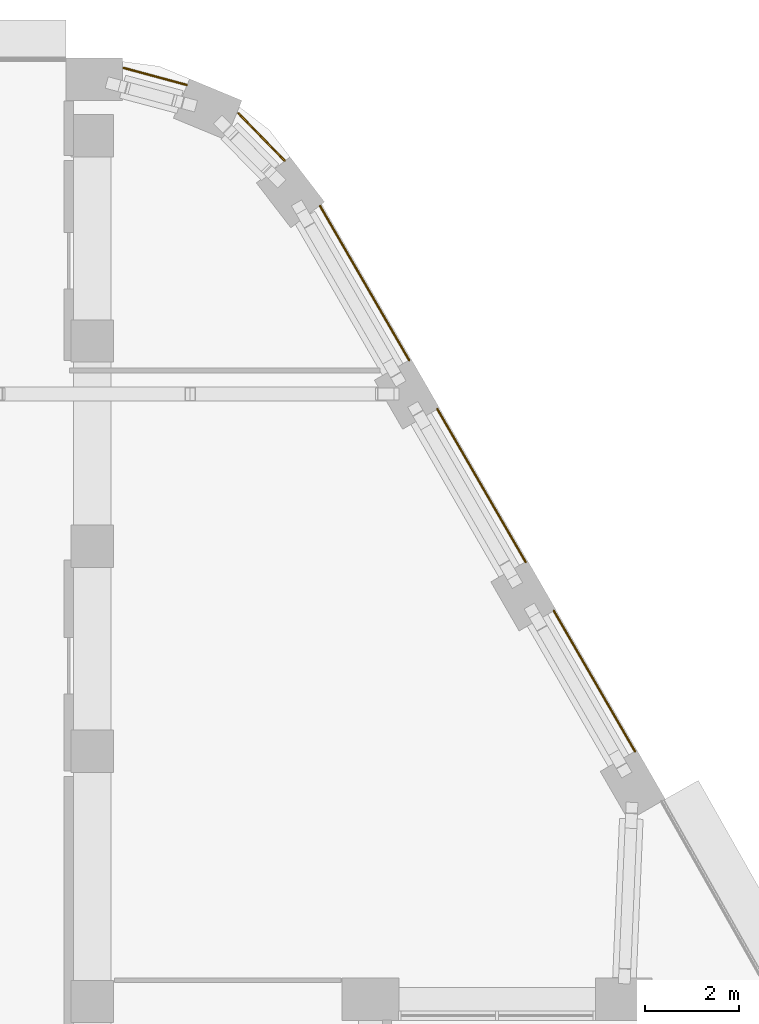
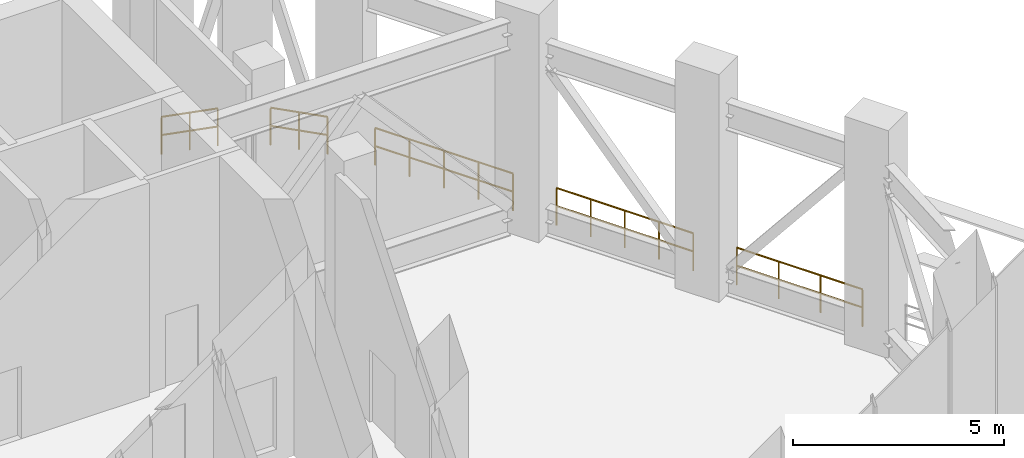
# One storey, part 19 of 19: 5 railings.
"""IFC4 building model written with IfcOpenShell, lengths in metres."""

import ifcopenshell
import ifcopenshell.guid

model = None  # the IFC model being written
_history = None  # IfcOwnerHistory: only IFC2X3 demands one
_inside = {}  # id of a spatial element -> (the spatial element, [elements in it])
_under = {}  # id of a project, library or spatial element -> (it, [spatial elements below it])
_declared = {}  # id of a project -> (the project, [libraries it declares])
_typed = {}  # id of a type object -> (the type object, [elements of that type])
_made_of = {}  # id of a material, layer set ... -> (it, [elements and type objects made of it])


def new_model(schema):
    """Start an empty IFC model of exactly this schema.

    Asked for "IFC4X3", IfcOpenShell would pick the latest addendum, in which some entities
    have other attributes; the version numbers below select the first issue.
    IFC2X3 requires an IfcOwnerHistory on every rooted entity: one is made here for all.
    """
    global model, _history
    if schema == "IFC4X3":
        model = ifcopenshell.file(schema_version=(4, 3, 0, 0))
    else:
        model = ifcopenshell.file(schema=schema)
    _inside.clear()
    _under.clear()
    _declared.clear()
    _typed.clear()
    _made_of.clear()
    _history = None
    if model.schema == "IFC2X3":
        org = make("IfcOrganization", Name="unknown")
        user = make(
            "IfcPersonAndOrganization",
            ThePerson=make("IfcPerson", FamilyName="unknown"),
            TheOrganization=org,
        )
        app = make(
            "IfcApplication",
            ApplicationDeveloper=org,
            Version="unknown",
            ApplicationFullName="unknown",
            ApplicationIdentifier="unknown",
        )
        _history = make(
            "IfcOwnerHistory",
            OwningUser=user,
            OwningApplication=app,
            ChangeAction="ADDED",
            CreationDate=0,
        )
    return model


def make(cls, **values):
    """One entity of the class cls with the attributes given. An attribute that is None is left unset."""
    return model.create_entity(
        cls, **{name: value for name, value in values.items() if value is not None}
    )


def rooted(cls, **values):
    """An entity with a GlobalId (a new one), such as an element, a storey or a relation."""
    return make(cls, GlobalId=ifcopenshell.guid.new(), OwnerHistory=_history, **values)


def si_unit(unit_type, name, prefix=None):
    """IfcSIUnit, for example si_unit("LENGTHUNIT", "METRE", prefix="MILLI")."""
    return make("IfcSIUnit", UnitType=unit_type, Prefix=prefix, Name=name)


def assignment(units):
    """IfcUnitAssignment: the units of a project."""
    return None if units is None else make("IfcUnitAssignment", Units=units)


def point(xyz):
    """IfcCartesianPoint."""
    return None if xyz is None else make("IfcCartesianPoint", Coordinates=xyz)


def direction(xyz):
    """IfcDirection."""
    return None if xyz is None else make("IfcDirection", DirectionRatios=xyz)


def frame(location, z_axis=None, x_axis=None):
    """IfcAxis2Placement3D, a coordinate frame: its origin and axes. An axis left out is left unset."""
    return make(
        "IfcAxis2Placement3D",
        Location=point(location),
        Axis=direction(z_axis),
        RefDirection=direction(x_axis),
    )


def frame_2d(location, x_axis=None):
    """IfcAxis2Placement2D, a coordinate frame in the plane: its origin and x axis."""
    return make(
        "IfcAxis2Placement2D", Location=point(location), RefDirection=direction(x_axis)
    )


def origin():
    """The frame at (0, 0, 0) with its axes left unset."""
    return frame((0.0, 0.0, 0.0))


def origin_2d():
    """The frame at (0, 0) in the plane with its x axis left unset."""
    return frame_2d((0.0, 0.0))


def place(relative_to, where):
    """IfcLocalPlacement: puts the frame where relative to a parent placement (None: the world)."""
    return make(
        "IfcLocalPlacement", PlacementRelTo=relative_to, RelativePlacement=where
    )


def context(
    kind, dimensions, precision=None, world=None, true_north=None, identifier=None
):
    """IfcGeometricRepresentationContext, for example the 3D "Model" context."""
    return make(
        "IfcGeometricRepresentationContext",
        ContextIdentifier=identifier,
        ContextType=kind,
        CoordinateSpaceDimension=dimensions,
        Precision=precision,
        WorldCoordinateSystem=world,
        TrueNorth=true_north,
    )


def subcontext(parent, identifier, kind, view, scale=None):
    """IfcGeometricRepresentationSubContext, for example "Body" below "Model"."""
    return make(
        "IfcGeometricRepresentationSubContext",
        ContextIdentifier=identifier,
        ContextType=kind,
        ParentContext=parent,
        TargetScale=scale,
        TargetView=view,
    )


def project(units=None, contexts=None):
    """IfcProject with its units and contexts."""
    return rooted(
        "IfcProject",
        Name="project",
        RepresentationContexts=contexts,
        UnitsInContext=assignment(units),
    )


def spatial(cls, under=None, at=None, **own):
    """A site, building, storey or space (cls), placed at a placement, below another one or the project."""
    s = rooted(cls, ObjectPlacement=at, **own)
    if under is not None:
        _under.setdefault(under.id(), (under, []))[1].append(s)
    return s


def profile(cls, at=None, kind="AREA", **sizes):
    """A parametric profile (cls). Its sizes go by their IFC names, for example OverallWidth=200.0."""
    return make(cls, ProfileType=kind, Position=at, **sizes)


def circle(**sizes):
    """IfcCircleProfileDef."""
    return profile("IfcCircleProfileDef", **sizes)


def extrude(swept, where, along, depth):
    """IfcExtrudedAreaSolid: the profile swept, set in the frame where, extruded along a direction by depth."""
    return make(
        "IfcExtrudedAreaSolid",
        SweptArea=swept,
        Position=where,
        ExtrudedDirection=direction(along),
        Depth=depth,
    )


def shape(context_of_items, identifier, shape_type, items):
    """IfcShapeRepresentation: the items that make up one representation, for example the "Body"."""
    return make(
        "IfcShapeRepresentation",
        ContextOfItems=context_of_items,
        RepresentationIdentifier=identifier,
        RepresentationType=shape_type,
        Items=items,
    )


def material(Name=None, Category=None):
    """IfcMaterial."""
    return make("IfcMaterial", Name=Name, Category=Category)


def made_of(thing, what):
    """Note that an element or type object is made of a material, layer set ...; save() writes the relation."""
    if what is not None:
        _made_of.setdefault(what.id(), (what, []))[1].append(thing)
    return thing


def type_object(cls, material=None, **own):
    """A type object (cls), such as IfcWallType, which elements share."""
    return made_of(rooted(cls, **own), material)


def element(
    cls,
    number,
    at=None,
    inside=None,
    cuts=None,
    type_object=None,
    material=None,
    context=None,
    identifier="Body",
    shape_type=None,
    held_by="IfcProductDefinitionShape",
    body=None,
    shapes=None,
    **own,
):
    """One element of the class cls, such as IfcWall. Its Tag is "e" and its number.

    at: its placement. inside: the storey or other place that contains it. cuts: it is an
    opening in that element (IfcRelVoidsElement). A single representation is given by context,
    identifier, shape_type and body (its items); several are given by shapes. held_by: the class
    of the entity that holds the representations. save() writes the other relations.
    """
    e = rooted(cls, Tag="e%d" % number, ObjectPlacement=at, **own)
    if body is not None:
        shapes = [shape(context, identifier, shape_type, body)]
    if shapes is not None:
        e.Representation = make(held_by, Representations=shapes)
    if inside is not None:
        _inside.setdefault(inside.id(), (inside, []))[1].append(e)
    if cuts is not None:
        rooted(
            "IfcRelVoidsElement", RelatingBuildingElement=cuts, RelatedOpeningElement=e
        )
    if type_object is not None:
        _typed.setdefault(type_object.id(), (type_object, []))[1].append(e)
    return made_of(e, material)


def aggregate(whole, parts):
    """IfcRelAggregates: a whole, such as a stair, and the parts it consists of."""
    return rooted("IfcRelAggregates", RelatingObject=whole, RelatedObjects=parts)


def save(model, path):
    """Write the relations noted so far, then the file.

    IfcRelAggregates (storeys below a building ...), IfcRelContainedInSpatialStructure (elements
    in a storey), IfcRelDefinesByType, IfcRelAssociatesMaterial and IfcRelDeclares: one each for
    every whole, place, type object, material and project.
    """
    for whole, parts in _under.values():
        aggregate(whole, parts)
    for where, things in _inside.values():
        rooted(
            "IfcRelContainedInSpatialStructure",
            RelatedElements=things,
            RelatingStructure=where,
        )
    for kind, things in _typed.values():
        rooted("IfcRelDefinesByType", RelatedObjects=things, RelatingType=kind)
    for what, things in _made_of.values():
        rooted("IfcRelAssociatesMaterial", RelatedObjects=things, RelatingMaterial=what)
    for by, libraries in _declared.values():
        rooted("IfcRelDeclares", RelatingContext=by, RelatedDefinitions=libraries)
    model.write(path)


model = new_model("IFC4")

# Units and contexts
model_context = context("Model", 3, precision=1e-05, world=origin(), true_north=direction((0.0, 1.0)))
body_context = subcontext(model_context, "Body", "Model", "MODEL_VIEW")
ifc_project = project(units=[si_unit("LENGTHUNIT", "METRE"), si_unit("AREAUNIT", "SQUARE_METRE"), si_unit("VOLUMEUNIT", "CUBIC_METRE"), si_unit("PLANEANGLEUNIT", "RADIAN"), si_unit("MASSUNIT", "GRAM", prefix="KILO")], contexts=[model_context])

# Site, building, storey
site_placement = place(None, origin())
site = spatial("IfcSite", under=ifc_project, at=site_placement, CompositionType="ELEMENT")
building_placement = place(site_placement, origin())
building = spatial("IfcBuilding", under=site, at=building_placement, Name="Nakaniwa Court", CompositionType="ELEMENT")
storey_placement = place(building_placement, frame((0.0, 0.0, 219.60009765625)))
storey = spatial("IfcBuildingStorey", under=building, at=storey_placement, Name="S4", CompositionType="ELEMENT", Elevation=219.60009765625)

# Railings
ifc_material = material(Name="Black powder-coated steel flat bar balustrade S275", Category="steel")
railing_type = type_object("IfcRailingType", Name="Black metal terrace guard 1100", PredefinedType="GUARDRAIL", material=ifc_material)
railing_1_placement = place(storey_placement, frame((101.50732421875, 87.9482421875, 0.0)))
element("IfcRailing", 1, at=railing_1_placement, inside=storey, type_object=railing_type, Name="S4 refuge band guard 03", PredefinedType="GUARDRAIL", context=body_context, shape_type="SweptSolid", body=[
    extrude(circle(Radius=0.02392578125, at=origin_2d()), frame((0.0, 0.0, 1.076171875), z_axis=(-0.500008546953, 0.866020469142, 0.0), x_axis=(-0.866020469142, -0.500008546953, 0.0)), (0.0, 0.0, 1.0), 3.447265625),
    extrude(circle(Radius=0.02392578125, at=origin_2d()), frame((0.0, 0.0, 0.550048828125), z_axis=(-0.500008546953, 0.866020469142, 0.0), x_axis=(-0.866020469142, -0.500008546953, 0.0)), (0.0, 0.0, 1.0), 3.447265625),
    extrude(circle(Radius=0.02099609375, at=origin_2d()), origin(), (0.0, 0.0, 1.0), 1.052001953125),
    extrude(circle(Radius=0.02099609375, at=origin_2d()), frame((-0.574462890625, 0.9951171875, 0.0)), (0.0, 0.0, 1.0), 1.052001953125),
    extrude(circle(Radius=0.02099609375, at=origin_2d()), frame((-1.149169921875, 1.990234375, 0.0)), (0.0, 0.0, 1.0), 1.052001953125),
    extrude(circle(Radius=0.02099609375, at=origin_2d()), frame((-1.7236328125, 2.9853515625, 0.0)), (0.0, 0.0, 1.0), 1.052001953125),
])
railing_2_placement = place(storey_placement, frame((99.187744140625, 91.9658203125, 0.0)))
element("IfcRailing", 2, at=railing_2_placement, inside=storey, type_object=railing_type, Name="S4 refuge band guard 04", PredefinedType="GUARDRAIL", context=body_context, shape_type="SweptSolid", body=[
    extrude(circle(Radius=0.02392578125, at=origin_2d()), frame((0.0, 0.0, 1.076171875), z_axis=(-0.499982088007, 0.866035745032, 0.0), x_axis=(-0.866035745032, -0.499982088007, 0.0)), (0.0, 0.0, 1.0), 3.744384765625),
    extrude(circle(Radius=0.02392578125, at=origin_2d()), frame((0.0, 0.0, 0.550048828125), z_axis=(-0.499982088007, 0.866035745032, 0.0), x_axis=(-0.866035745032, -0.499982088007, 0.0)), (0.0, 0.0, 1.0), 3.744384765625),
    extrude(circle(Radius=0.02099609375, at=origin_2d()), origin(), (0.0, 0.0, 1.0), 1.052001953125),
    extrude(circle(Radius=0.02099609375, at=origin_2d()), frame((-0.468017578125, 0.810546875, 0.0)), (0.0, 0.0, 1.0), 1.052001953125),
    extrude(circle(Radius=0.02099609375, at=origin_2d()), frame((-0.93603515625, 1.621337890625, 0.0)), (0.0, 0.0, 1.0), 1.052001953125),
    extrude(circle(Radius=0.02099609375, at=origin_2d()), frame((-1.404052734375, 2.43212890625, 0.0)), (0.0, 0.0, 1.0), 1.052001953125),
    extrude(circle(Radius=0.02099609375, at=origin_2d()), frame((-1.8720703125, 3.24267578125, 0.0)), (0.0, 0.0, 1.0), 1.052001953125),
])
railing_3_placement = place(storey_placement, frame((96.719482421875, 96.24072265625, 0.0)))
element("IfcRailing", 3, at=railing_3_placement, inside=storey, type_object=railing_type, Name="S4 refuge band guard 05", PredefinedType="GUARDRAIL", context=body_context, shape_type="SweptSolid", body=[
    extrude(circle(Radius=0.02392578125, at=origin_2d()), frame((0.0, 0.0, 1.076171875), z_axis=(-0.499961087031, 0.866047869032, 0.0), x_axis=(-0.866047869032, -0.499961087031, 0.0)), (0.0, 0.0, 1.0), 3.778564453125),
    extrude(circle(Radius=0.02392578125, at=origin_2d()), frame((0.0, 0.0, 0.550048828125), z_axis=(-0.499961087031, 0.866047869032, 0.0), x_axis=(-0.866047869032, -0.499961087031, 0.0)), (0.0, 0.0, 1.0), 3.778564453125),
    extrude(circle(Radius=0.02099609375, at=origin_2d()), origin(), (0.0, 0.0, 1.0), 1.052001953125),
    extrude(circle(Radius=0.02099609375, at=origin_2d()), frame((-0.47216796875, 0.818115234375, 0.0)), (0.0, 0.0, 1.0), 1.052001953125),
    extrude(circle(Radius=0.02099609375, at=origin_2d()), frame((-0.944580078125, 1.63623046875, 0.0)), (0.0, 0.0, 1.0), 1.052001953125),
    extrude(circle(Radius=0.02099609375, at=origin_2d()), frame((-1.4169921875, 2.454345703125, 0.0)), (0.0, 0.0, 1.0), 1.052001953125),
    extrude(circle(Radius=0.02099609375, at=origin_2d()), frame((-1.88916015625, 3.2724609375, 0.0)), (0.0, 0.0, 1.0), 1.052001953125),
])
railing_4_placement = place(storey_placement, frame((94.080810546875, 100.4716796875, 0.0)))
element("IfcRailing", 4, at=railing_4_placement, inside=storey, type_object=railing_type, Name="S4 refuge band guard 06", PredefinedType="GUARDRAIL", context=body_context, shape_type="SweptSolid", body=[
    extrude(circle(Radius=0.02392578125, at=origin_2d()), frame((0.0, 0.0, 1.076171875), z_axis=(-0.698265142361, 0.715839221448, 0.0), x_axis=(-0.715839221448, -0.698265142361, 0.0)), (0.0, 0.0, 1.0), 1.403076171875),
    extrude(circle(Radius=0.02392578125, at=origin_2d()), frame((0.0, 0.0, 0.550048828125), z_axis=(-0.698265142361, 0.715839221448, 0.0), x_axis=(-0.715839221448, -0.698265142361, 0.0)), (0.0, 0.0, 1.0), 1.403076171875),
    extrude(circle(Radius=0.02099609375, at=origin_2d()), origin(), (0.0, 0.0, 1.0), 1.052001953125),
    extrude(circle(Radius=0.02099609375, at=origin_2d()), frame((-0.48974609375, 0.502197265625, 0.0)), (0.0, 0.0, 1.0), 1.052001953125),
    extrude(circle(Radius=0.02099609375, at=origin_2d()), frame((-0.979736328125, 1.00439453125, 0.0)), (0.0, 0.0, 1.0), 1.052001953125),
])
railing_5_placement = place(storey_placement, frame((92.00341796875, 102.077880859375, 0.0)))
element("IfcRailing", 5, at=railing_5_placement, inside=storey, type_object=railing_type, Name="S4 refuge band guard 07", PredefinedType="GUARDRAIL", context=body_context, shape_type="SweptSolid", body=[
    extrude(circle(Radius=0.02392578125, at=origin_2d()), frame((0.0, 0.0, 1.076171875), z_axis=(-0.965315341278, 0.261086751661, 0.0), x_axis=(-0.261086751661, -0.965315341278, 0.0)), (0.0, 0.0, 1.0), 1.384033203125),
    extrude(circle(Radius=0.02392578125, at=origin_2d()), frame((0.0, 0.0, 0.550048828125), z_axis=(-0.965315341278, 0.261086751661, 0.0), x_axis=(-0.261086751661, -0.965315341278, 0.0)), (0.0, 0.0, 1.0), 1.384033203125),
    extrude(circle(Radius=0.02099609375, at=origin_2d()), origin(), (0.0, 0.0, 1.0), 1.052001953125),
    extrude(circle(Radius=0.02099609375, at=origin_2d()), frame((-0.66796875, 0.1806640625, 0.0)), (0.0, 0.0, 1.0), 1.052001953125),
    extrude(circle(Radius=0.02099609375, at=origin_2d()), frame((-1.3359375, 0.361328125, 0.0)), (0.0, 0.0, 1.0), 1.052001953125),
])

save(model, "model.ifc")
